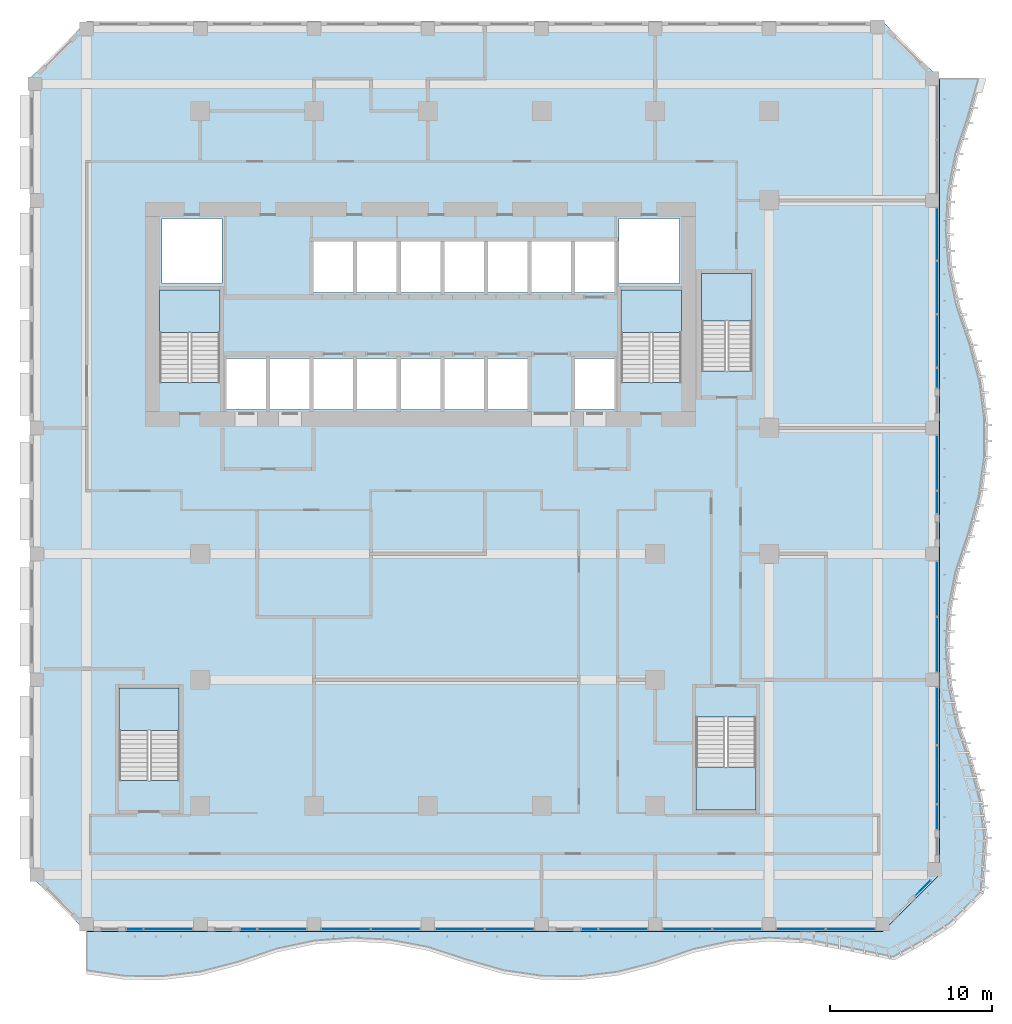
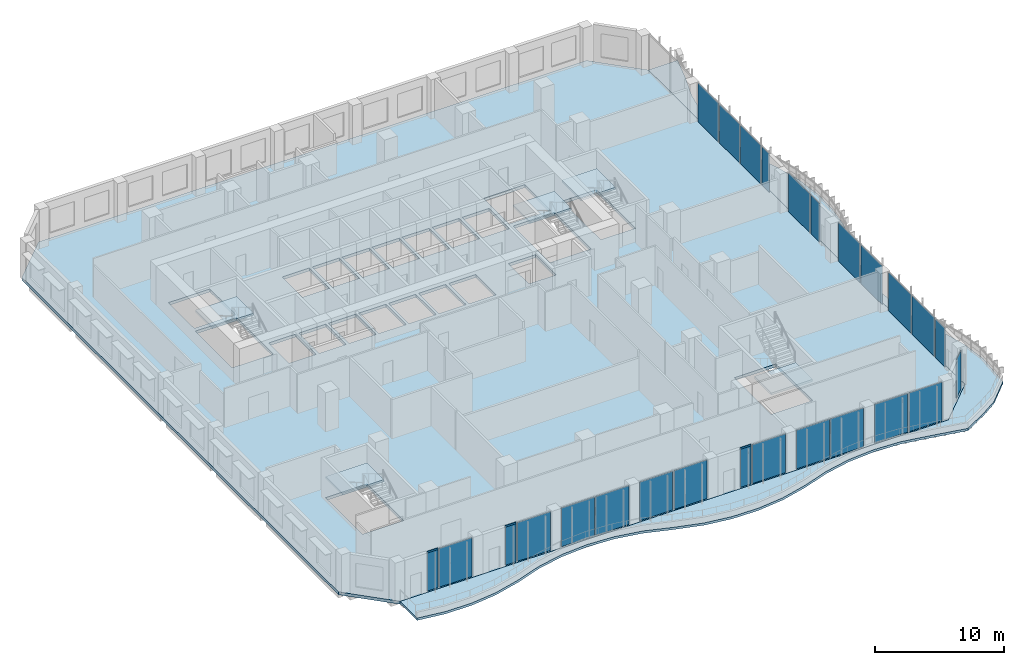
# One storey, part 9 of 26: 26 plates, 7 slabs, 3 members, 31 elements without a shape of their own.
"""IFC4 building model written with IfcOpenShell, lengths in metres."""

from ifc_helpers import new_model, si_unit, direction, frame, origin, origin_2d, place, context, subcontext, project, spatial, polyline, rectangle, outline, extrude, source, transform, mapped, material, layer, layer_set, material_profile, profile_set, type_object, element, aggregate, save


model = new_model("IFC4")

# Units and contexts
model_context = context("Model", 3, precision=1e-05, world=origin(), true_north=direction((0.0, 1.0)))
body_context = subcontext(model_context, "Body", "Model", "MODEL_VIEW")
ifc_project = project(units=[si_unit("LENGTHUNIT", "METRE"), si_unit("AREAUNIT", "SQUARE_METRE"), si_unit("VOLUMEUNIT", "CUBIC_METRE"), si_unit("PLANEANGLEUNIT", "RADIAN"), si_unit("MASSUNIT", "GRAM", prefix="KILO")], contexts=[model_context])

# Site, building, storey
site_placement = place(None, origin())
site = spatial("IfcSite", under=ifc_project, at=site_placement, CompositionType="ELEMENT")
building_placement = place(site_placement, origin())
building = spatial("IfcBuilding", under=site, at=building_placement, Name="Kilnfold Tower and Market Hall", CompositionType="ELEMENT")
storey_placement = place(building_placement, frame((0.0, 0.0, 108.60009765625)))
storey = spatial("IfcBuildingStorey", under=building, at=storey_placement, Name="L25", CompositionType="ELEMENT", Elevation=108.60009765625)

# Curtain wall, member
ifc_material_1 = material(Name="Aluminium and double glazing", Category="aluminium")
curtain_wall_type = type_object("IfcCurtainWallType", Name="CW OF2 VALLEY GLAZING", PredefinedType="NOTDEFINED", material=ifc_material_1)
curtain_wall_1_placement = place(storey_placement, origin())
curtain_wall_1 = element("IfcCurtainWall", 1, at=curtain_wall_1_placement, inside=storey, type_object=curtain_wall_type, Name="Curtain wall CW2 L25 S", PredefinedType="NOTDEFINED")
ifc_material_2 = material(Name="Aluminium", Category="aluminium")
ifc_material_profile = material_profile(ifc_material_2, rectangle(XDim=0.06005859375, YDim=0.159912109375, at=origin_2d()), Name="TRANSOM 60x160")
ifc_profile_set = profile_set([ifc_material_profile], Name="Aluminium")
member_type = type_object("IfcMemberType", Name="TRANSOM 60X160", PredefinedType="USERDEFINED", material=ifc_profile_set)
shared_shape_1 = source(origin(), body_context, "Body", "SweptSolid", [
    extrude(rectangle(XDim=0.06005859375, YDim=0.159912109375, at=origin_2d()), origin(), (0.0, 0.0, 1.0), 0.954833984375),
])
member_1_placement = place(storey_placement, frame((-17.014892578125, -22.85009765625, 3.68994140625), z_axis=(1.0, 0.0, 0.0), x_axis=(0.0, 1.0, 0.0)))
member_1 = element("IfcMember", 2, at=member_1_placement, type_object=member_type, Name="CW2 transom 1.2", ObjectType="TRANSOM", PredefinedType="USERDEFINED", context=body_context, shape_type="MappedRepresentation", body=[
    mapped(shared_shape_1, transform((0.0, 0.0, 0.0))),
])

curtain_wall_2_placement = place(storey_placement, origin())
curtain_wall_2 = element("IfcCurtainWall", 3, at=curtain_wall_2_placement, inside=storey, type_object=curtain_wall_type, Name="Curtain wall CW2 L25 S", PredefinedType="NOTDEFINED")
member_2_placement = place(storey_placement, frame((-10.014892578125, -22.85009765625, 3.68994140625), z_axis=(1.0, 0.0, 0.0), x_axis=(0.0, 1.0, 0.0)))
member_2 = element("IfcMember", 4, at=member_2_placement, type_object=member_type, Name="CW2 transom 1.2", ObjectType="TRANSOM", PredefinedType="USERDEFINED", context=body_context, shape_type="MappedRepresentation", body=[
    mapped(shared_shape_1, transform((0.0, 0.0, 0.0))),
])

curtain_wall_3_placement = place(storey_placement, origin())
curtain_wall_3 = element("IfcCurtainWall", 5, at=curtain_wall_3_placement, inside=storey, type_object=curtain_wall_type, Name="Curtain wall CW2 L25 S", PredefinedType="NOTDEFINED")
member_3_placement = place(storey_placement, frame((10.985107421875, -22.85009765625, 3.68994140625), z_axis=(1.0, 0.0, 0.0), x_axis=(0.0, 1.0, 0.0)))
member_3 = element("IfcMember", 6, at=member_3_placement, type_object=member_type, Name="CW2 transom 1.2", ObjectType="TRANSOM", PredefinedType="USERDEFINED", context=body_context, shape_type="MappedRepresentation", body=[
    mapped(shared_shape_1, transform((0.0, 0.0, 0.0))),
])

# Slab
ifc_material_3 = material(Name="Concrete C45", Category="concrete")
ifc_layer_1 = layer(ifc_material_3, 0.280029296875)
ifc_layer_set_1 = layer_set([ifc_layer_1], Name="Concrete C45")
slab_type_1 = type_object("IfcSlabType", Name="FLOOR SLAB 280", PredefinedType="FLOOR", material=ifc_layer_set_1)
shared_shape_2 = source(origin(), body_context, "Body", "SweptSolid", [
    extrude(outline(polyline([(-19.5, -23.0), (29.5, -23.0), (33.0, -19.5), (33.0, 29.5), (29.5, 33.0), (-19.5, 33.0), (-23.0, 29.5), (-23.0, -19.5), (-19.5, -23.0)]), holes=[polyline([(-13.800537109375, -13.699462890625), (-17.49951171875, -13.699462890625), (-17.49951171875, -8.00048828125), (-13.800537109375, -8.00048828125), (-13.800537109375, -13.699462890625)]), polyline([(-14.99951171875, 10.800537109375), (-14.99951171875, 16.49951171875), (-11.300537109375, 16.49951171875), (-11.300537109375, 10.800537109375), (-14.99951171875, 10.800537109375)]), polyline([(-14.875, 16.875), (-14.875, 20.875), (-11.175048828125, 20.875), (-11.175048828125, 16.875), (-14.875, 16.875)]), polyline([(-8.455078125, 9.125), (-10.885009765625, 9.125), (-10.885009765625, 12.27490234375), (-8.455078125, 12.27490234375), (-8.455078125, 9.125)]), polyline([(-5.77490234375, 9.125), (-8.205078125, 9.125), (-8.205078125, 12.27490234375), (-5.77490234375, 12.27490234375), (-5.77490234375, 9.125)]), polyline([(-5.52490234375, 9.125), (-5.52490234375, 12.27490234375), (-3.094970703125, 12.27490234375), (-3.094970703125, 9.125), (-5.52490234375, 9.125)]), polyline([(-5.52490234375, 16.324951171875), (-5.52490234375, 19.47509765625), (-3.094970703125, 19.47509765625), (-3.094970703125, 16.324951171875), (-5.52490234375, 16.324951171875)]), polyline([(-2.844970703125, 9.125), (-2.844970703125, 12.27490234375), (-0.4150390625, 12.27490234375), (-0.4150390625, 9.125), (-2.844970703125, 9.125)]), polyline([(-0.4150390625, 16.324951171875), (-2.844970703125, 16.324951171875), (-2.844970703125, 19.47509765625), (-0.4150390625, 19.47509765625), (-0.4150390625, 16.324951171875)]), polyline([(2.264892578125, 9.125), (-0.1650390625, 9.125), (-0.1650390625, 12.27490234375), (2.264892578125, 12.27490234375), (2.264892578125, 9.125)]), polyline([(-0.1650390625, 16.324951171875), (-0.1650390625, 19.47509765625), (2.264892578125, 19.47509765625), (2.264892578125, 16.324951171875), (-0.1650390625, 16.324951171875)]), polyline([(4.945068359375, 9.125), (2.514892578125, 9.125), (2.514892578125, 12.27490234375), (4.945068359375, 12.27490234375), (4.945068359375, 9.125)]), polyline([(2.514892578125, 16.324951171875), (2.514892578125, 19.47509765625), (4.945068359375, 19.47509765625), (4.945068359375, 16.324951171875), (2.514892578125, 16.324951171875)]), polyline([(7.625, 9.125), (5.195068359375, 9.125), (5.195068359375, 12.27490234375), (7.625, 12.27490234375), (7.625, 9.125)]), polyline([(5.195068359375, 16.324951171875), (5.195068359375, 19.47509765625), (7.625, 19.47509765625), (7.625, 16.324951171875), (5.195068359375, 16.324951171875)]), polyline([(10.304931640625, 16.324951171875), (7.875, 16.324951171875), (7.875, 19.47509765625), (10.304931640625, 19.47509765625), (10.304931640625, 16.324951171875)]), polyline([(10.554931640625, 9.125), (10.554931640625, 12.27490234375), (12.985107421875, 12.27490234375), (12.985107421875, 9.125), (10.554931640625, 9.125)]), polyline([(10.554931640625, 16.324951171875), (10.554931640625, 19.47509765625), (12.985107421875, 19.47509765625), (12.985107421875, 16.324951171875), (10.554931640625, 16.324951171875)]), polyline([(13.27490234375, 16.875), (13.27490234375, 20.875), (16.97509765625, 20.875), (16.97509765625, 16.875), (13.27490234375, 16.875)]), polyline([(13.400390625, 10.800537109375), (13.400390625, 16.49951171875), (17.099609375, 16.49951171875), (17.099609375, 10.800537109375), (13.400390625, 10.800537109375)]), polyline([(18.00048828125, -9.800537109375), (21.699462890625, -9.800537109375), (21.699462890625, -15.49951171875), (18.00048828125, -15.49951171875), (18.00048828125, -9.800537109375)]), polyline([(21.449462890625, 11.50048828125), (18.3505859375, 11.50048828125), (18.3505859375, 17.49951171875), (21.449462890625, 17.49951171875), (21.449462890625, 11.50048828125)])]), origin(), (0.0, 0.0, 1.0), 0.280029296875),
])
slab_1_placement = place(storey_placement, frame((0.0, 0.0, -0.280029296875)))
element("IfcSlab", 7, at=slab_1_placement, inside=storey, type_object=slab_type_1, Name="Floor slab L25", PredefinedType="FLOOR", context=body_context, shape_type="MappedRepresentation", body=[
    mapped(shared_shape_2, transform((0.0, 0.0, 0.0))),
])

# Plate
ifc_material_4 = material(Name="Double glazed unit")
ifc_layer_2 = layer(ifc_material_4, 0.031982421875)
ifc_layer_set_2 = layer_set([ifc_layer_2], Name="Double glazed unit")
plate_type = type_object("IfcPlateType", Name="GLAZING PANEL 32", PredefinedType="CURTAIN_PANEL", material=ifc_layer_set_2)
shared_shape_3 = source(origin(), body_context, "Body", "SweptSolid", [
    extrude(rectangle(XDim=0.955078125, YDim=0.031982421875, at=origin_2d()), origin(), (0.0, 0.0, 1.0), 3.659912109375),
])
plate_1_placement = place(storey_placement, frame((-16.53759765625, -22.85009765625, 0.0), z_axis=(0.0, 0.0, 1.0), x_axis=(1.0, 0.0, 0.0)))
plate_1 = element("IfcPlate", 8, at=plate_1_placement, type_object=plate_type, Name="CW2 panel 1.1", PredefinedType="CURTAIN_PANEL", context=body_context, shape_type="MappedRepresentation", body=[
    mapped(shared_shape_3, transform((0.0, 0.0, 0.0))),
])

aggregate(curtain_wall_1, [member_1, plate_1])

plate_2_placement = place(storey_placement, frame((-9.53759765625, -22.85009765625, 0.0), z_axis=(0.0, 0.0, 1.0), x_axis=(1.0, 0.0, 0.0)))
plate_2 = element("IfcPlate", 9, at=plate_2_placement, type_object=plate_type, Name="CW2 panel 1.1", PredefinedType="CURTAIN_PANEL", context=body_context, shape_type="MappedRepresentation", body=[
    mapped(shared_shape_3, transform((0.0, 0.0, 0.0))),
])

aggregate(curtain_wall_2, [member_2, plate_2])

plate_3_placement = place(storey_placement, frame((11.46240234375, -22.85009765625, 0.0), z_axis=(0.0, 0.0, 1.0), x_axis=(1.0, 0.0, 0.0)))
plate_3 = element("IfcPlate", 10, at=plate_3_placement, type_object=plate_type, Name="CW2 panel 1.1", PredefinedType="CURTAIN_PANEL", context=body_context, shape_type="MappedRepresentation", body=[
    mapped(shared_shape_3, transform((0.0, 0.0, 0.0))),
])

aggregate(curtain_wall_3, [member_3, plate_3])

# Curtain wall, plate
curtain_wall_4_placement = place(storey_placement, origin())
curtain_wall_4 = element("IfcCurtainWall", 11, at=curtain_wall_4_placement, inside=storey, type_object=curtain_wall_type, Name="Curtain wall CW2 L25 S", PredefinedType="NOTDEFINED")
shared_shape_4 = source(origin(), body_context, "Body", "SweptSolid", [
    extrude(rectangle(XDim=2.955078125, YDim=0.031982421875, at=origin_2d()), origin(), (0.0, 0.0, 1.0), 3.659912109375),
])
plate_4_placement = place(storey_placement, frame((-14.46240234375, -22.85009765625, 0.0), z_axis=(0.0, 0.0, 1.0), x_axis=(1.0, 0.0, 0.0)))
plate_4 = element("IfcPlate", 12, at=plate_4_placement, type_object=plate_type, Name="CW2 panel 1.1", PredefinedType="CURTAIN_PANEL", context=body_context, shape_type="MappedRepresentation", body=[
    mapped(shared_shape_4, transform((0.0, 0.0, 0.0))),
])
aggregate(curtain_wall_4, [plate_4])

curtain_wall_5_placement = place(storey_placement, origin())
curtain_wall_5 = element("IfcCurtainWall", 13, at=curtain_wall_5_placement, inside=storey, type_object=curtain_wall_type, Name="Curtain wall CW2 L25 S", PredefinedType="NOTDEFINED")
plate_5_placement = place(storey_placement, frame((-7.46240234375, -22.85009765625, 0.0), z_axis=(0.0, 0.0, 1.0), x_axis=(1.0, 0.0, 0.0)))
plate_5 = element("IfcPlate", 14, at=plate_5_placement, type_object=plate_type, Name="CW2 panel 1.1", PredefinedType="CURTAIN_PANEL", context=body_context, shape_type="MappedRepresentation", body=[
    mapped(shared_shape_4, transform((0.0, 0.0, 0.0))),
])
aggregate(curtain_wall_5, [plate_5])

curtain_wall_6_placement = place(storey_placement, origin())
curtain_wall_6 = element("IfcCurtainWall", 15, at=curtain_wall_6_placement, inside=storey, type_object=curtain_wall_type, Name="Curtain wall CW2 L25 S", PredefinedType="NOTDEFINED")
plate_6_placement = place(storey_placement, frame((-3.53759765625, -22.85009765625, 0.0), z_axis=(0.0, 0.0, 1.0), x_axis=(1.0, 0.0, 0.0)))
plate_6 = element("IfcPlate", 16, at=plate_6_placement, type_object=plate_type, Name="CW2 panel 1.1", PredefinedType="CURTAIN_PANEL", context=body_context, shape_type="MappedRepresentation", body=[
    mapped(shared_shape_4, transform((0.0, 0.0, 0.0))),
])
aggregate(curtain_wall_6, [plate_6])

curtain_wall_7_placement = place(storey_placement, origin())
curtain_wall_7 = element("IfcCurtainWall", 17, at=curtain_wall_7_placement, inside=storey, type_object=curtain_wall_type, Name="Curtain wall CW2 L25 S", PredefinedType="NOTDEFINED")
plate_7_placement = place(storey_placement, frame((-0.46240234375, -22.85009765625, 0.0), z_axis=(0.0, 0.0, 1.0), x_axis=(1.0, 0.0, 0.0)))
plate_7 = element("IfcPlate", 18, at=plate_7_placement, type_object=plate_type, Name="CW2 panel 1.1", PredefinedType="CURTAIN_PANEL", context=body_context, shape_type="MappedRepresentation", body=[
    mapped(shared_shape_4, transform((0.0, 0.0, 0.0))),
])
aggregate(curtain_wall_7, [plate_7])

curtain_wall_8_placement = place(storey_placement, origin())
curtain_wall_8 = element("IfcCurtainWall", 19, at=curtain_wall_8_placement, inside=storey, type_object=curtain_wall_type, Name="Curtain wall CW2 L25 S", PredefinedType="NOTDEFINED")
plate_8_placement = place(storey_placement, frame((3.46240234375, -22.85009765625, 0.0), z_axis=(0.0, 0.0, 1.0), x_axis=(1.0, 0.0, 0.0)))
plate_8 = element("IfcPlate", 20, at=plate_8_placement, type_object=plate_type, Name="CW2 panel 1.1", PredefinedType="CURTAIN_PANEL", context=body_context, shape_type="MappedRepresentation", body=[
    mapped(shared_shape_4, transform((0.0, 0.0, 0.0))),
])
aggregate(curtain_wall_8, [plate_8])

curtain_wall_9_placement = place(storey_placement, origin())
curtain_wall_9 = element("IfcCurtainWall", 21, at=curtain_wall_9_placement, inside=storey, type_object=curtain_wall_type, Name="Curtain wall CW2 L25 S", PredefinedType="NOTDEFINED")
plate_9_placement = place(storey_placement, frame((6.53759765625, -22.85009765625, 0.0), z_axis=(0.0, 0.0, 1.0), x_axis=(1.0, 0.0, 0.0)))
plate_9 = element("IfcPlate", 22, at=plate_9_placement, type_object=plate_type, Name="CW2 panel 1.1", PredefinedType="CURTAIN_PANEL", context=body_context, shape_type="MappedRepresentation", body=[
    mapped(shared_shape_4, transform((0.0, 0.0, 0.0))),
])
aggregate(curtain_wall_9, [plate_9])

curtain_wall_10_placement = place(storey_placement, origin())
curtain_wall_10 = element("IfcCurtainWall", 23, at=curtain_wall_10_placement, inside=storey, type_object=curtain_wall_type, Name="Curtain wall CW2 L25 S", PredefinedType="NOTDEFINED")
plate_10_placement = place(storey_placement, frame((13.53759765625, -22.85009765625, 0.0), z_axis=(0.0, 0.0, 1.0), x_axis=(1.0, 0.0, 0.0)))
plate_10 = element("IfcPlate", 24, at=plate_10_placement, type_object=plate_type, Name="CW2 panel 1.1", PredefinedType="CURTAIN_PANEL", context=body_context, shape_type="MappedRepresentation", body=[
    mapped(shared_shape_4, transform((0.0, 0.0, 0.0))),
])
aggregate(curtain_wall_10, [plate_10])

curtain_wall_11_placement = place(storey_placement, origin())
curtain_wall_11 = element("IfcCurtainWall", 25, at=curtain_wall_11_placement, inside=storey, type_object=curtain_wall_type, Name="Curtain wall CW2 L25 S", PredefinedType="NOTDEFINED")
plate_11_placement = place(storey_placement, frame((17.46240234375, -22.85009765625, 0.0), z_axis=(0.0, 0.0, 1.0), x_axis=(1.0, 0.0, 0.0)))
plate_11 = element("IfcPlate", 26, at=plate_11_placement, type_object=plate_type, Name="CW2 panel 1.1", PredefinedType="CURTAIN_PANEL", context=body_context, shape_type="MappedRepresentation", body=[
    mapped(shared_shape_4, transform((0.0, 0.0, 0.0))),
])
aggregate(curtain_wall_11, [plate_11])

curtain_wall_12_placement = place(storey_placement, origin())
curtain_wall_12 = element("IfcCurtainWall", 27, at=curtain_wall_12_placement, inside=storey, type_object=curtain_wall_type, Name="Curtain wall CW2 L25 S", PredefinedType="NOTDEFINED")
plate_12_placement = place(storey_placement, frame((20.53759765625, -22.85009765625, 0.0), z_axis=(0.0, 0.0, 1.0), x_axis=(1.0, 0.0, 0.0)))
plate_12 = element("IfcPlate", 28, at=plate_12_placement, type_object=plate_type, Name="CW2 panel 1.1", PredefinedType="CURTAIN_PANEL", context=body_context, shape_type="MappedRepresentation", body=[
    mapped(shared_shape_4, transform((0.0, 0.0, 0.0))),
])
aggregate(curtain_wall_12, [plate_12])

curtain_wall_13_placement = place(storey_placement, origin())
curtain_wall_13 = element("IfcCurtainWall", 29, at=curtain_wall_13_placement, inside=storey, type_object=curtain_wall_type, Name="Curtain wall CW2 L25 S", PredefinedType="NOTDEFINED")
plate_13_placement = place(storey_placement, frame((24.46240234375, -22.85009765625, 0.0), z_axis=(0.0, 0.0, 1.0), x_axis=(1.0, 0.0, 0.0)))
plate_13 = element("IfcPlate", 30, at=plate_13_placement, type_object=plate_type, Name="CW2 panel 1.1", PredefinedType="CURTAIN_PANEL", context=body_context, shape_type="MappedRepresentation", body=[
    mapped(shared_shape_4, transform((0.0, 0.0, 0.0))),
])
aggregate(curtain_wall_13, [plate_13])

curtain_wall_14_placement = place(storey_placement, origin())
curtain_wall_14 = element("IfcCurtainWall", 31, at=curtain_wall_14_placement, inside=storey, type_object=curtain_wall_type, Name="Curtain wall CW2 L25 S", PredefinedType="NOTDEFINED")
plate_14_placement = place(storey_placement, frame((27.53759765625, -22.85009765625, 0.0), z_axis=(0.0, 0.0, 1.0), x_axis=(1.0, 0.0, 0.0)))
plate_14 = element("IfcPlate", 32, at=plate_14_placement, type_object=plate_type, Name="CW2 panel 1.1", PredefinedType="CURTAIN_PANEL", context=body_context, shape_type="MappedRepresentation", body=[
    mapped(shared_shape_4, transform((0.0, 0.0, 0.0))),
])
aggregate(curtain_wall_14, [plate_14])

curtain_wall_15_placement = place(storey_placement, origin())
curtain_wall_15 = element("IfcCurtainWall", 33, at=curtain_wall_15_placement, inside=storey, type_object=curtain_wall_type, Name="Curtain wall CW2 L25 SE", PredefinedType="NOTDEFINED")
shared_shape_5 = source(origin(), body_context, "Body", "SweptSolid", [
    extrude(rectangle(XDim=1.3095703125, YDim=0.031982421875, at=origin_2d()), origin(), (0.0, 0.0, 1.0), 3.659912109375),
])
plate_15_placement = place(storey_placement, frame((31.96337890625, -20.32421875, 0.0), z_axis=(0.0, 0.0, 1.0), x_axis=(0.707106781187, 0.707106781187, 0.0)))
plate_15 = element("IfcPlate", 34, at=plate_15_placement, type_object=plate_type, Name="CW2 panel 1.1", PredefinedType="CURTAIN_PANEL", context=body_context, shape_type="MappedRepresentation", body=[
    mapped(shared_shape_5, transform((0.0, 0.0, 0.0))),
])
aggregate(curtain_wall_15, [plate_15])

curtain_wall_16_placement = place(storey_placement, origin())
curtain_wall_16 = element("IfcCurtainWall", 35, at=curtain_wall_16_placement, inside=storey, type_object=curtain_wall_type, Name="Curtain wall CW2 L25 E", PredefinedType="NOTDEFINED")
shared_shape_6 = source(origin(), body_context, "Body", "SweptSolid", [
    extrude(rectangle(XDim=3.490478515625, YDim=0.031982421875, at=origin_2d()), origin(), (0.0, 0.0, 1.0), 3.659912109375),
])
plate_16_placement = place(storey_placement, frame((32.85009765625, -13.3408203125, 0.0), z_axis=(0.0, 0.0, 1.0), x_axis=(0.0, 1.0, 0.0)))
plate_16 = element("IfcPlate", 36, at=plate_16_placement, type_object=plate_type, Name="CW2 panel 1.1", PredefinedType="CURTAIN_PANEL", context=body_context, shape_type="MappedRepresentation", body=[
    mapped(shared_shape_6, transform((0.0, 0.0, 0.0))),
])
aggregate(curtain_wall_16, [plate_16])

curtain_wall_17_placement = place(storey_placement, origin())
curtain_wall_17 = element("IfcCurtainWall", 37, at=curtain_wall_17_placement, inside=storey, type_object=curtain_wall_type, Name="Curtain wall CW2 L25 E", PredefinedType="NOTDEFINED")
plate_17_placement = place(storey_placement, frame((32.85009765625, -9.730224609375, 0.0), z_axis=(0.0, 0.0, 1.0), x_axis=(0.0, 1.0, 0.0)))
plate_17 = element("IfcPlate", 38, at=plate_17_placement, type_object=plate_type, Name="CW2 panel 1.1", PredefinedType="CURTAIN_PANEL", context=body_context, shape_type="MappedRepresentation", body=[
    mapped(shared_shape_6, transform((0.0, 0.0, 0.0))),
])
aggregate(curtain_wall_17, [plate_17])

curtain_wall_18_placement = place(storey_placement, origin())
curtain_wall_18 = element("IfcCurtainWall", 39, at=curtain_wall_18_placement, inside=storey, type_object=curtain_wall_type, Name="Curtain wall CW2 L25 E", PredefinedType="NOTDEFINED")
shared_shape_7 = source(origin(), body_context, "Body", "SweptSolid", [
    extrude(rectangle(XDim=3.330078125, YDim=0.031982421875, at=origin_2d()), origin(), (0.0, 0.0, 1.0), 3.659912109375),
])
plate_18_placement = place(storey_placement, frame((32.85009765625, -5.35009765625, 0.0), z_axis=(0.0, 0.0, 1.0), x_axis=(0.0, 1.0, 0.0)))
plate_18 = element("IfcPlate", 40, at=plate_18_placement, type_object=plate_type, Name="CW2 panel 1.1", PredefinedType="CURTAIN_PANEL", context=body_context, shape_type="MappedRepresentation", body=[
    mapped(shared_shape_7, transform((0.0, 0.0, 0.0))),
])
aggregate(curtain_wall_18, [plate_18])

curtain_wall_19_placement = place(storey_placement, origin())
curtain_wall_19 = element("IfcCurtainWall", 41, at=curtain_wall_19_placement, inside=storey, type_object=curtain_wall_type, Name="Curtain wall CW2 L25 E", PredefinedType="NOTDEFINED")
plate_19_placement = place(storey_placement, frame((32.85009765625, -1.89990234375, 0.0), z_axis=(0.0, 0.0, 1.0), x_axis=(0.0, 1.0, 0.0)))
plate_19 = element("IfcPlate", 42, at=plate_19_placement, type_object=plate_type, Name="CW2 panel 1.1", PredefinedType="CURTAIN_PANEL", context=body_context, shape_type="MappedRepresentation", body=[
    mapped(shared_shape_7, transform((0.0, 0.0, 0.0))),
])
aggregate(curtain_wall_19, [plate_19])

curtain_wall_20_placement = place(storey_placement, origin())
curtain_wall_20 = element("IfcCurtainWall", 43, at=curtain_wall_20_placement, inside=storey, type_object=curtain_wall_type, Name="Curtain wall CW2 L25 E", PredefinedType="NOTDEFINED")
plate_20_placement = place(storey_placement, frame((32.85009765625, 5.85009765625, 0.0), z_axis=(0.0, 0.0, 1.0), x_axis=(0.0, 1.0, 0.0)))
plate_20 = element("IfcPlate", 44, at=plate_20_placement, type_object=plate_type, Name="CW2 panel 1.1", PredefinedType="CURTAIN_PANEL", context=body_context, shape_type="MappedRepresentation", body=[
    mapped(shared_shape_7, transform((0.0, 0.0, 0.0))),
])
aggregate(curtain_wall_20, [plate_20])

curtain_wall_21_placement = place(storey_placement, origin())
curtain_wall_21 = element("IfcCurtainWall", 45, at=curtain_wall_21_placement, inside=storey, type_object=curtain_wall_type, Name="Curtain wall CW2 L25 E", PredefinedType="NOTDEFINED")
shared_shape_8 = source(origin(), body_context, "Body", "SweptSolid", [
    extrude(rectangle(XDim=3.16748046875, YDim=0.031982421875, at=origin_2d()), origin(), (0.0, 0.0, 1.0), 3.659912109375),
])
plate_21_placement = place(storey_placement, frame((32.85009765625, 13.356201171875, 0.0), z_axis=(0.0, 0.0, 1.0), x_axis=(0.0, 1.0, 0.0)))
plate_21 = element("IfcPlate", 46, at=plate_21_placement, type_object=plate_type, Name="CW2 panel 1.1", PredefinedType="CURTAIN_PANEL", context=body_context, shape_type="MappedRepresentation", body=[
    mapped(shared_shape_8, transform((0.0, 0.0, 0.0))),
])
aggregate(curtain_wall_21, [plate_21])

curtain_wall_22_placement = place(storey_placement, origin())
curtain_wall_22 = element("IfcCurtainWall", 47, at=curtain_wall_22_placement, inside=storey, type_object=curtain_wall_type, Name="Curtain wall CW2 L25 E", PredefinedType="NOTDEFINED")
plate_22_placement = place(storey_placement, frame((32.85009765625, 16.643798828125, 0.0), z_axis=(0.0, 0.0, 1.0), x_axis=(0.0, 1.0, 0.0)))
plate_22 = element("IfcPlate", 48, at=plate_22_placement, type_object=plate_type, Name="CW2 panel 1.1", PredefinedType="CURTAIN_PANEL", context=body_context, shape_type="MappedRepresentation", body=[
    mapped(shared_shape_8, transform((0.0, 0.0, 0.0))),
])
aggregate(curtain_wall_22, [plate_22])

curtain_wall_23_placement = place(storey_placement, origin())
curtain_wall_23 = element("IfcCurtainWall", 49, at=curtain_wall_23_placement, inside=storey, type_object=curtain_wall_type, Name="Curtain wall CW2 L25 E", PredefinedType="NOTDEFINED")
plate_23_placement = place(storey_placement, frame((32.85009765625, 19.93115234375, 0.0), z_axis=(0.0, 0.0, 1.0), x_axis=(0.0, 1.0, 0.0)))
plate_23 = element("IfcPlate", 50, at=plate_23_placement, type_object=plate_type, Name="CW2 panel 1.1", PredefinedType="CURTAIN_PANEL", context=body_context, shape_type="MappedRepresentation", body=[
    mapped(shared_shape_8, transform((0.0, 0.0, 0.0))),
])
aggregate(curtain_wall_23, [plate_23])

curtain_wall_24_placement = place(storey_placement, origin())
curtain_wall_24 = element("IfcCurtainWall", 51, at=curtain_wall_24_placement, inside=storey, type_object=curtain_wall_type, Name="Curtain wall CW2 L25 E", PredefinedType="NOTDEFINED")
shared_shape_9 = source(origin(), body_context, "Body", "SweptSolid", [
    extrude(rectangle(XDim=1.490478515625, YDim=0.031982421875, at=origin_2d()), origin(), (0.0, 0.0, 1.0), 3.659912109375),
])
plate_24_placement = place(storey_placement, frame((32.85009765625, -15.951416015625, 0.0), z_axis=(0.0, 0.0, 1.0), x_axis=(0.0, 1.0, 0.0)))
plate_24 = element("IfcPlate", 52, at=plate_24_placement, type_object=plate_type, Name="CW2 panel 1.1", PredefinedType="CURTAIN_PANEL", context=body_context, shape_type="MappedRepresentation", body=[
    mapped(shared_shape_9, transform((0.0, 0.0, 0.0))),
])
aggregate(curtain_wall_24, [plate_24])

curtain_wall_25_placement = place(storey_placement, origin())
curtain_wall_25 = element("IfcCurtainWall", 53, at=curtain_wall_25_placement, inside=storey, type_object=curtain_wall_type, Name="Curtain wall CW2 L25 E", PredefinedType="NOTDEFINED")
shared_shape_10 = source(origin(), body_context, "Body", "SweptSolid", [
    extrude(rectangle(XDim=1.16748046875, YDim=0.031982421875, at=origin_2d()), origin(), (0.0, 0.0, 1.0), 3.659912109375),
])
plate_25_placement = place(storey_placement, frame((32.85009765625, 11.06884765625, 0.0), z_axis=(0.0, 0.0, 1.0), x_axis=(0.0, 1.0, 0.0)))
plate_25 = element("IfcPlate", 54, at=plate_25_placement, type_object=plate_type, Name="CW2 panel 1.1", PredefinedType="CURTAIN_PANEL", context=body_context, shape_type="MappedRepresentation", body=[
    mapped(shared_shape_10, transform((0.0, 0.0, 0.0))),
])
aggregate(curtain_wall_25, [plate_25])

curtain_wall_26_placement = place(storey_placement, origin())
curtain_wall_26 = element("IfcCurtainWall", 55, at=curtain_wall_26_placement, inside=storey, type_object=curtain_wall_type, Name="Curtain wall CW2 L25 E", PredefinedType="NOTDEFINED")
shared_shape_11 = source(origin(), body_context, "Body", "SweptSolid", [
    extrude(rectangle(XDim=1.330078125, YDim=0.031982421875, at=origin_2d()), origin(), (0.0, 0.0, 1.0), 3.659912109375),
])
plate_26_placement = place(storey_placement, frame((32.85009765625, 3.39990234375, 0.0), z_axis=(0.0, 0.0, 1.0), x_axis=(0.0, 1.0, 0.0)))
plate_26 = element("IfcPlate", 56, at=plate_26_placement, type_object=plate_type, Name="CW2 panel 1.1", PredefinedType="CURTAIN_PANEL", context=body_context, shape_type="MappedRepresentation", body=[
    mapped(shared_shape_11, transform((0.0, 0.0, 0.0))),
])
aggregate(curtain_wall_26, [plate_26])

# Slab
ifc_material_5 = material(Name="Concrete C40/50", Category="concrete")
ifc_layer_3 = layer(ifc_material_5, 0.219970703125)
ifc_layer_set_3 = layer_set([ifc_layer_3], Name="Concrete C40/50")
slab_type_2 = type_object("IfcSlabType", Name="BALCONY SLAB 220", PredefinedType="FLOOR", material=ifc_layer_set_3)
shared_shape_12 = source(origin(), body_context, "Body", "SweptSolid", [
    extrude(outline(polyline([(-19.5, -23.0), (29.5, -23.0), (33.0, -19.5), (33.0, 29.5), (35.6171875, 29.5), (34.957763671875, 27.166748046875), (34.18310546875, 24.833251953125), (33.735107421875, 22.5), (33.6005859375, 20.166748046875), (33.7724609375, 17.833251953125), (34.259765625, 15.5), (35.05615234375, 13.166748046875), (35.67431640625, 10.833251953125), (35.968505859375, 8.5), (35.95458984375, 6.166748046875), (35.632080078125, 3.833251953125), (34.98291015625, 1.5), (34.201904296875, -0.833251953125), (33.743896484375, -3.166748046875), (33.60009765625, -5.5), (33.7626953125, -7.833251953125), (34.239990234375, -10.166748046875), (35.031982421875, -12.5), (35.660400390625, -14.833251953125), (35.964111328125, -17.166748046875), (35.734130859375, -20.632568359375), (33.79248046875, -22.6259765625), (32.3798828125, -23.546630859375), (30.2294921875, -24.761474609375), (27.166748046875, -24.146728515625), (24.833251953125, -23.71826171875), (22.5, -23.602294921875), (20.166748046875, -23.792724609375), (17.833251953125, -24.2998046875), (15.5, -25.103515625), (13.166748046875, -25.701171875), (10.833251953125, -25.976318359375), (8.5, -25.94384765625), (6.166748046875, -25.602294921875), (3.833251953125, -24.932373046875), (1.5, -24.164794921875), (-0.833251953125, -23.7265625), (-3.166748046875, -23.601318359375), (-5.5, -23.782470703125), (-7.833251953125, -24.27978515625), (-10.166748046875, -25.080078125), (-12.5, -25.68798828125), (-14.833251953125, -25.972412109375), (-17.166748046875, -25.949462890625), (-19.5, -25.6171875), (-19.5, -23.0)])), origin(), (0.0, 0.0, 1.0), 0.22021484375),
])
slab_2_placement = place(storey_placement, frame((0.0, 0.0, -0.22021484375)))
element("IfcSlab", 57, at=slab_2_placement, inside=storey, type_object=slab_type_2, Name="Balcony slab L25", PredefinedType="FLOOR", context=body_context, shape_type="MappedRepresentation", body=[
    mapped(shared_shape_12, transform((0.0, 0.0, 0.0))),
])

# Stair, slab
ifc_material_6 = material(Name="Concrete C40/50", Category="concrete")
stair_type_1 = type_object("IfcStairType", Name="CORE STAIR 1800", PredefinedType="HALF_TURN_STAIR", material=ifc_material_6)
stair_1_placement = place(storey_placement, origin())
stair_1 = element("IfcStair", 58, at=stair_1_placement, inside=storey, type_object=stair_type_1, Name="L25 ST1", PredefinedType="HALF_TURN_STAIR")
ifc_material_7 = material(Name="Concrete C40/50", Category="concrete")
ifc_layer_4 = layer(ifc_material_7, 0.199951171875)
ifc_layer_set_4 = layer_set([ifc_layer_4], Name="Concrete C40/50")
slab_type_3 = type_object("IfcSlabType", Name="CORE STAIR LANDING 200", PredefinedType="LANDING", material=ifc_layer_set_4)
shared_shape_13 = source(origin(), body_context, "Body", "SweptSolid", [
    extrude(outline(polyline([(-11.300048828125, 13.8798828125), (-11.300048828125, 16.5), (-15.0, 16.5), (-15.0, 13.8798828125), (-11.300048828125, 13.8798828125)])), origin(), (0.0, 0.0, 1.0), 0.2001953125),
])
slab_3_placement = place(storey_placement, frame((0.0, 0.0, 1.7998046875)))
slab_3 = element("IfcSlab", 59, at=slab_3_placement, type_object=slab_type_3, Name="ST1 landing 1", PredefinedType="LANDING", context=body_context, shape_type="MappedRepresentation", body=[
    mapped(shared_shape_13, transform((0.0, 0.0, 0.0))),
])
aggregate(stair_1, [slab_3])

stair_2_placement = place(storey_placement, origin())
stair_2 = element("IfcStair", 60, at=stair_2_placement, inside=storey, type_object=stair_type_1, Name="L25 ST2", PredefinedType="HALF_TURN_STAIR")
shared_shape_14 = source(origin(), body_context, "Body", "SweptSolid", [
    extrude(outline(polyline([(17.10009765625, 13.8798828125), (17.10009765625, 16.5), (13.39990234375, 16.5), (13.39990234375, 13.8798828125), (17.10009765625, 13.8798828125)])), origin(), (0.0, 0.0, 1.0), 0.2001953125),
])
slab_4_placement = place(storey_placement, frame((0.0, 0.0, 1.7998046875)))
slab_4 = element("IfcSlab", 61, at=slab_4_placement, type_object=slab_type_3, Name="ST2 landing 1", PredefinedType="LANDING", context=body_context, shape_type="MappedRepresentation", body=[
    mapped(shared_shape_14, transform((0.0, 0.0, 0.0))),
])
aggregate(stair_2, [slab_4])

stair_3_placement = place(storey_placement, origin())
stair_3 = element("IfcStair", 62, at=stair_3_placement, inside=storey, type_object=stair_type_1, Name="L25 ST3", PredefinedType="HALF_TURN_STAIR")
shared_shape_15 = source(origin(), body_context, "Body", "SweptSolid", [
    extrude(outline(polyline([(-13.800048828125, -10.6201171875), (-13.800048828125, -8.0), (-17.5, -8.0), (-17.5, -10.6201171875), (-13.800048828125, -10.6201171875)])), origin(), (0.0, 0.0, 1.0), 0.2001953125),
])
slab_5_placement = place(storey_placement, frame((0.0, 0.0, 1.7998046875)))
slab_5 = element("IfcSlab", 63, at=slab_5_placement, type_object=slab_type_3, Name="ST3 landing 1", PredefinedType="LANDING", context=body_context, shape_type="MappedRepresentation", body=[
    mapped(shared_shape_15, transform((0.0, 0.0, 0.0))),
])
aggregate(stair_3, [slab_5])

stair_4_placement = place(storey_placement, origin())
stair_4 = element("IfcStair", 64, at=stair_4_placement, inside=storey, type_object=stair_type_1, Name="L25 ST4", PredefinedType="HALF_TURN_STAIR")
shared_shape_16 = source(origin(), body_context, "Body", "SweptSolid", [
    extrude(outline(polyline([(18.0, -12.8798828125), (18.0, -15.5), (21.699951171875, -15.5), (21.699951171875, -12.8798828125), (18.0, -12.8798828125)])), origin(), (0.0, 0.0, 1.0), 0.2001953125),
])
slab_6_placement = place(storey_placement, frame((0.0, 0.0, 1.7998046875)))
slab_6 = element("IfcSlab", 65, at=slab_6_placement, type_object=slab_type_3, Name="ST4 landing 1", PredefinedType="LANDING", context=body_context, shape_type="MappedRepresentation", body=[
    mapped(shared_shape_16, transform((0.0, 0.0, 0.0))),
])
aggregate(stair_4, [slab_6])

ifc_material_8 = material(Name="Concrete C40/50", Category="concrete")
stair_type_2 = type_object("IfcStairType", Name="CORE STAIR 1500", PredefinedType="HALF_TURN_STAIR", material=ifc_material_8)
stair_5_placement = place(storey_placement, origin())
stair_5 = element("IfcStair", 66, at=stair_5_placement, inside=storey, type_object=stair_type_2, Name="L25 ST5", PredefinedType="HALF_TURN_STAIR")
shared_shape_17 = source(origin(), body_context, "Body", "SweptSolid", [
    extrude(outline(polyline([(21.449951171875, 14.580078125), (21.449951171875, 17.5), (18.35009765625, 17.5), (18.35009765625, 14.580078125), (21.449951171875, 14.580078125)])), origin(), (0.0, 0.0, 1.0), 0.2001953125),
])
slab_7_placement = place(storey_placement, frame((0.0, 0.0, 1.7998046875)))
slab_7 = element("IfcSlab", 67, at=slab_7_placement, type_object=slab_type_3, Name="ST5 landing 1", PredefinedType="LANDING", context=body_context, shape_type="MappedRepresentation", body=[
    mapped(shared_shape_17, transform((0.0, 0.0, 0.0))),
])
aggregate(stair_5, [slab_7])

save(model, "model.ifc")
